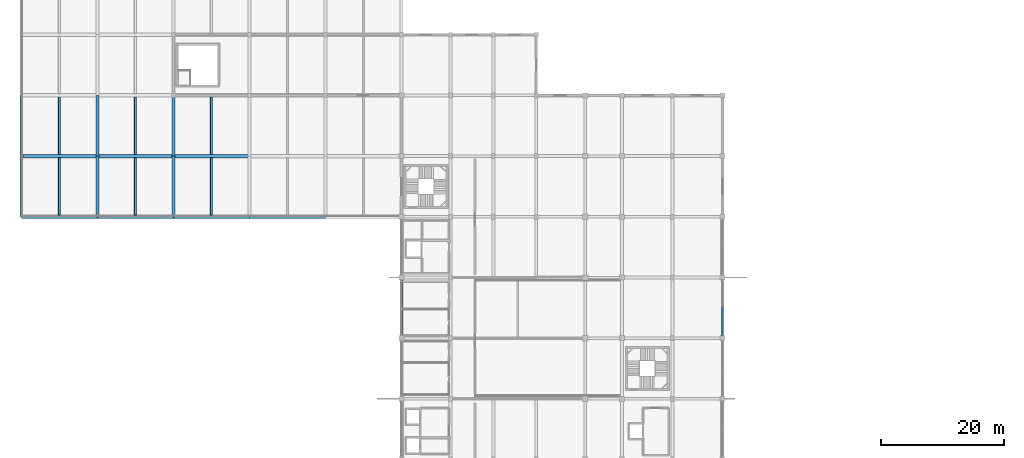
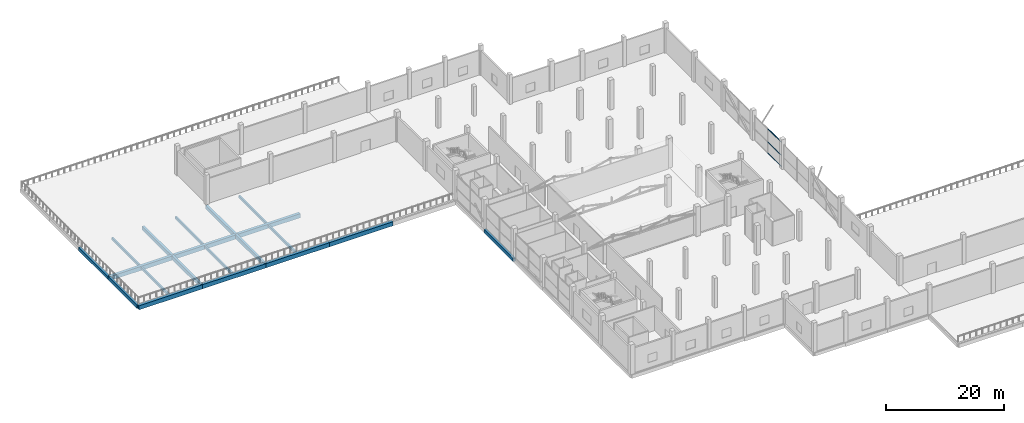
# One storey, part 13 of 46: 20 beams, 3 members, 1 element without a shape of its own.
"""IFC4 building model written with IfcOpenShell, lengths in metres."""

from ifc_helpers import new_model, si_unit, direction, frame, origin, origin_2d, place, context, subcontext, project, spatial, rectangle, hollow_rectangle, extrude, material, layer, layer_set, material_profile, profile_set, type_object, element, aggregate, save


model = new_model("IFC4")

# Units and contexts
model_context = context("Model", 3, precision=1e-05, world=origin(), true_north=direction((0.0, 1.0)))
body_context = subcontext(model_context, "Body", "Model", "MODEL_VIEW")
ifc_project = project(units=[si_unit("LENGTHUNIT", "METRE"), si_unit("AREAUNIT", "SQUARE_METRE"), si_unit("VOLUMEUNIT", "CUBIC_METRE"), si_unit("PLANEANGLEUNIT", "RADIAN"), si_unit("MASSUNIT", "GRAM", prefix="KILO")], contexts=[model_context])

# Site, building, storey
site_placement = place(None, origin())
site = spatial("IfcSite", under=ifc_project, at=site_placement, CompositionType="ELEMENT")
building_placement = place(site_placement, origin())
building = spatial("IfcBuilding", under=site, at=building_placement, Name="Sillaruma Civic Art Gallery", CompositionType="ELEMENT")
storey_placement = place(building_placement, frame((0.0, 0.0, 16.320068359375)))
storey = spatial("IfcBuildingStorey", under=building, at=storey_placement, Name="L03", CompositionType="ELEMENT", Elevation=16.320068359375)

# Beams
ifc_material_1 = material(Name="Concrete H40 (40 MPa)", Category="concrete")
ifc_material_profile_1 = material_profile(ifc_material_1, rectangle(XDim=0.449951171875, YDim=0.75, at=origin_2d()), Name="RCB450x750")
ifc_profile_set_1 = profile_set([ifc_material_profile_1], Name="Concrete H40 (40 MPa)")
beam_type_1 = type_object("IfcBeamType", Name="BM-BEAM-RCB450x750", PredefinedType="BEAM", material=ifc_profile_set_1)
beam_1_placement = place(storey_placement, frame((12.39990234375, 79.199951171875, -0.655029296875), z_axis=(0.0, 1.0, 0.0), x_axis=(-1.0, 0.0, 0.0)))
element("IfcBeam", 1, at=beam_1_placement, inside=storey, type_object=beam_type_1, Name="Beam BM-03 (L02:B:9-10)", PredefinedType="BEAM", context=body_context, shape_type="SweptSolid", body=[
    extrude(rectangle(XDim=0.449951171875, YDim=0.75, at=origin_2d()), origin(), (0.0, 0.0, 1.0), 9.900146484375),
])
beam_2_placement = place(storey_placement, frame((12.39990234375, 89.10009765625, -0.655029296875), z_axis=(0.0, 1.0, 0.0), x_axis=(-1.0, 0.0, 0.0)))
element("IfcBeam", 2, at=beam_2_placement, inside=storey, type_object=beam_type_1, Name="Beam BM-03 (L02:B:10-11)", PredefinedType="BEAM", context=body_context, shape_type="SweptSolid", body=[
    extrude(rectangle(XDim=0.449951171875, YDim=0.75, at=origin_2d()), origin(), (0.0, 0.0, 1.0), 9.89990234375),
])
beam_3_placement = place(storey_placement, frame((24.800048828125, 79.199951171875, -0.655029296875), z_axis=(0.0, 1.0, 0.0), x_axis=(-1.0, 0.0, 0.0)))
element("IfcBeam", 3, at=beam_3_placement, inside=storey, type_object=beam_type_1, Name="Beam BM-03 (L02:C:9-10)", PredefinedType="BEAM", context=body_context, shape_type="SweptSolid", body=[
    extrude(rectangle(XDim=0.449951171875, YDim=0.75, at=origin_2d()), origin(), (0.0, 0.0, 1.0), 9.900146484375),
])
beam_4_placement = place(storey_placement, frame((24.800048828125, 89.10009765625, -0.655029296875), z_axis=(0.0, 1.0, 0.0), x_axis=(-1.0, 0.0, 0.0)))
element("IfcBeam", 4, at=beam_4_placement, inside=storey, type_object=beam_type_1, Name="Beam BM-03 (L02:C:10-11)", PredefinedType="BEAM", context=body_context, shape_type="SweptSolid", body=[
    extrude(rectangle(XDim=0.449951171875, YDim=0.75, at=origin_2d()), origin(), (0.0, 0.0, 1.0), 9.89990234375),
])
ifc_material_profile_2 = material_profile(ifc_material_1, rectangle(XDim=0.550048828125, YDim=0.85009765625, at=origin_2d()), Name="RCB550x850")
ifc_profile_set_2 = profile_set([ifc_material_profile_2], Name="Concrete H40 (40 MPa)")
beam_type_2 = type_object("IfcBeamType", Name="BM-BEAM-RCB550x850", PredefinedType="BEAM", material=ifc_profile_set_2)
beam_5_placement = place(storey_placement, frame((0.0, 79.199951171875, -0.705078125), z_axis=(1.0, 0.0, 0.0), x_axis=(0.0, 1.0, 0.0)))
element("IfcBeam", 5, at=beam_5_placement, inside=storey, type_object=beam_type_2, Name="Beam BM-01 (L02:9:A-B)", PredefinedType="BEAM", context=body_context, shape_type="SweptSolid", body=[
    extrude(rectangle(XDim=0.550048828125, YDim=0.85009765625, at=origin_2d()), origin(), (0.0, 0.0, 1.0), 12.39990234375),
])
beam_6_placement = place(storey_placement, frame((12.39990234375, 79.199951171875, -0.705078125), z_axis=(1.0, 0.0, 0.0), x_axis=(0.0, 1.0, 0.0)))
element("IfcBeam", 6, at=beam_6_placement, inside=storey, type_object=beam_type_2, Name="Beam BM-01 (L02:9:B-C)", PredefinedType="BEAM", context=body_context, shape_type="SweptSolid", body=[
    extrude(rectangle(XDim=0.550048828125, YDim=0.85009765625, at=origin_2d()), origin(), (0.0, 0.0, 1.0), 12.400146484375),
])
beam_7_placement = place(storey_placement, frame((24.800048828125, 79.199951171875, -0.705078125), z_axis=(1.0, 0.0, 0.0), x_axis=(0.0, 1.0, 0.0)))
element("IfcBeam", 7, at=beam_7_placement, inside=storey, type_object=beam_type_2, Name="Beam BM-01 (L02:9:C-D)", PredefinedType="BEAM", context=body_context, shape_type="SweptSolid", body=[
    extrude(rectangle(XDim=0.550048828125, YDim=0.85009765625, at=origin_2d()), origin(), (0.0, 0.0, 1.0), 12.39990234375),
])
beam_8_placement = place(storey_placement, frame((37.199951171875, 79.199951171875, -0.705078125), z_axis=(1.0, 0.0, 0.0), x_axis=(0.0, 1.0, 0.0)))
element("IfcBeam", 8, at=beam_8_placement, inside=storey, type_object=beam_type_2, Name="Beam BM-01 (L02:9:D-E)", PredefinedType="BEAM", context=body_context, shape_type="SweptSolid", body=[
    extrude(rectangle(XDim=0.550048828125, YDim=0.85009765625, at=origin_2d()), origin(), (0.0, 0.0, 1.0), 12.400146484375),
])
beam_9_placement = place(storey_placement, frame((0.0, 89.10009765625, -0.705078125), z_axis=(1.0, 0.0, 0.0), x_axis=(0.0, 1.0, 0.0)))
element("IfcBeam", 9, at=beam_9_placement, inside=storey, type_object=beam_type_2, Name="Beam BM-01 (L02:10:A-B)", PredefinedType="BEAM", context=body_context, shape_type="SweptSolid", body=[
    extrude(rectangle(XDim=0.550048828125, YDim=0.85009765625, at=origin_2d()), origin(), (0.0, 0.0, 1.0), 12.39990234375),
])
beam_10_placement = place(storey_placement, frame((12.39990234375, 89.10009765625, -0.705078125), z_axis=(1.0, 0.0, 0.0), x_axis=(0.0, 1.0, 0.0)))
element("IfcBeam", 10, at=beam_10_placement, inside=storey, type_object=beam_type_2, Name="Beam BM-01 (L02:10:B-C)", PredefinedType="BEAM", context=body_context, shape_type="SweptSolid", body=[
    extrude(rectangle(XDim=0.550048828125, YDim=0.85009765625, at=origin_2d()), origin(), (0.0, 0.0, 1.0), 12.400146484375),
])
beam_11_placement = place(storey_placement, frame((24.800048828125, 89.10009765625, -0.705078125), z_axis=(1.0, 0.0, 0.0), x_axis=(0.0, 1.0, 0.0)))
element("IfcBeam", 11, at=beam_11_placement, inside=storey, type_object=beam_type_2, Name="Beam BM-01 (L02:10:C-D)", PredefinedType="BEAM", context=body_context, shape_type="SweptSolid", body=[
    extrude(rectangle(XDim=0.550048828125, YDim=0.85009765625, at=origin_2d()), origin(), (0.0, 0.0, 1.0), 12.39990234375),
])
ifc_material_2 = material(Name="Concrete H35 (35 MPa)", Category="concrete")
ifc_material_profile_3 = material_profile(ifc_material_2, rectangle(XDim=0.300048828125, YDim=0.52001953125, at=origin_2d()), Name="RCB300x520")
ifc_profile_set_3 = profile_set([ifc_material_profile_3], Name="Concrete H35 (35 MPa)")
beam_type_3 = type_object("IfcBeamType", Name="BM-JOIST-RCB300x520", PredefinedType="JOIST", material=ifc_profile_set_3)
for number, where, z_axis, x_axis, name in (
    (12, (6.199951171875, 79.47509765625, -0.5400390625), (0.0, 1.0, 0.0), (-1.0, 0.0, 0.0), "Floor Joist JR-01 (L02:AB:9-10)"),
    (13, (18.60009765625, 79.47509765625, -0.5400390625), (0.0, 1.0, 0.0), (-1.0, 0.0, 0.0), "Floor Joist JR-01 (L02:BC:9-10)"),
    (14, (31.0, 79.47509765625, -0.5400390625), (0.0, 1.0, 0.0), (-1.0, 0.0, 0.0), "Floor Joist JR-01 (L02:CD:9-10)"),
):
    element("IfcBeam", number, at=place(storey_placement, frame(where, z_axis=z_axis, x_axis=x_axis)), inside=storey, type_object=beam_type_3, Name=name, PredefinedType="JOIST", context=body_context, shape_type="SweptSolid", body=[
        extrude(rectangle(XDim=0.300048828125, YDim=0.52001953125, at=origin_2d()), origin(), (0.0, 0.0, 1.0), 9.349853515625),
    ])
for number, where, z_axis, x_axis, name in (
    (15, (6.199951171875, 89.375, -0.5400390625), (0.0, 1.0, 0.0), (-1.0, 0.0, 0.0), "Floor Joist JR-01 (L02:AB:10-11)"),
    (16, (18.60009765625, 89.375, -0.5400390625), (0.0, 1.0, 0.0), (-1.0, 0.0, 0.0), "Floor Joist JR-01 (L02:BC:10-11)"),
    (17, (31.0, 89.375, -0.5400390625), (0.0, 1.0, 0.0), (-1.0, 0.0, 0.0), "Floor Joist JR-01 (L02:CD:10-11)"),
):
    element("IfcBeam", number, at=place(storey_placement, frame(where, z_axis=z_axis, x_axis=x_axis)), inside=storey, type_object=beam_type_3, Name=name, PredefinedType="JOIST", context=body_context, shape_type="SweptSolid", body=[
        extrude(rectangle(XDim=0.300048828125, YDim=0.52001953125, at=origin_2d()), origin(), (0.0, 0.0, 1.0), 9.35009765625),
    ])
ifc_material_profile_4 = material_profile(ifc_material_2, rectangle(XDim=0.449951171875, YDim=0.699951171875, at=origin_2d()), Name="RCB450x700")
ifc_profile_set_4 = profile_set([ifc_material_profile_4], Name="Concrete H35 (35 MPa)")
beam_type_4 = type_object("IfcBeamType", Name="BM-SPANDREL-RCB450x700", PredefinedType="SPANDREL", material=ifc_profile_set_4)
beam_12_placement = place(storey_placement, frame((0.0, 79.199951171875, -0.630126953125), z_axis=(0.0, 1.0, 0.0), x_axis=(-1.0, 0.0, 0.0)))
element("IfcBeam", 18, at=beam_12_placement, inside=storey, type_object=beam_type_4, Name="Beam BS-03 (L02:A:9-10)", PredefinedType="SPANDREL", context=body_context, shape_type="SweptSolid", body=[
    extrude(rectangle(XDim=0.449951171875, YDim=0.699951171875, at=origin_2d()), origin(), (0.0, 0.0, 1.0), 9.900146484375),
])
beam_13_placement = place(storey_placement, frame((0.0, 89.10009765625, -0.630126953125), z_axis=(0.0, 1.0, 0.0), x_axis=(-1.0, 0.0, 0.0)))
element("IfcBeam", 19, at=beam_13_placement, inside=storey, type_object=beam_type_4, Name="Beam BS-03 (L02:A:10-11)", PredefinedType="SPANDREL", context=body_context, shape_type="SweptSolid", body=[
    extrude(rectangle(XDim=0.449951171875, YDim=0.699951171875, at=origin_2d()), origin(), (0.0, 0.0, 1.0), 9.89990234375),
])
beam_14_placement = place(storey_placement, frame((62.0, 59.39990234375, -0.630126953125), z_axis=(0.0, 1.0, 0.0), x_axis=(-1.0, 0.0, 0.0)))
element("IfcBeam", 20, at=beam_14_placement, inside=storey, type_object=beam_type_4, Name="Beam BS-03 (L02:F:7-8)", PredefinedType="SPANDREL", context=body_context, shape_type="SweptSolid", body=[
    extrude(rectangle(XDim=0.449951171875, YDim=0.699951171875, at=origin_2d()), origin(), (0.0, 0.0, 1.0), 9.900146484375),
])

# Curtain wall, members
ifc_material_3 = material(Name="Thermally Broken Extruded Aluminium 6063-T6", Category="aluminium")
ifc_layer = layer(ifc_material_3, 0.159912109375, Name="Thermally Broken Extruded Aluminium 6063-T6")
ifc_layer_set = layer_set([ifc_layer], Name="Thermally Broken Extruded Aluminium 6063-T6")
curtain_wall_type = type_object("IfcCurtainWallType", Name="CW-UNI-24", PredefinedType="NOTDEFINED", material=ifc_layer_set)
curtain_wall_placement = place(storey_placement, origin())
curtain_wall = element("IfcCurtainWall", 21, at=curtain_wall_placement, inside=storey, type_object=curtain_wall_type, Name="Unitised Curtain Wall CW-24 (CW-L03-E-5)", PredefinedType="NOTDEFINED")
ifc_material_profile_5 = material_profile(ifc_material_3, hollow_rectangle(XDim=0.06494140625, YDim=0.1201171875, WallThickness=0.00341796875, at=origin_2d()), Name="CWT65x120")
ifc_profile_set_5 = profile_set([ifc_material_profile_5], Name="Thermally Broken Extruded Aluminium 6063-T6")
member_type = type_object("IfcMemberType", Name="MEM-TRN-CWT65x120", PredefinedType="USERDEFINED", material=ifc_profile_set_5)
member_1_placement = place(storey_placement, frame((114.39990234375, 59.864990234375, 0.032470703125), z_axis=(0.0, 1.0, 0.0), x_axis=(-1.0, 0.0, 0.0)))
member_1 = element("IfcMember", 22, at=member_1_placement, type_object=member_type, Name="CW-24 transom 1.1", ObjectType="TRANSOM", PredefinedType="USERDEFINED", context=body_context, shape_type="SweptSolid", body=[
    extrude(hollow_rectangle(XDim=0.06494140625, YDim=0.1201171875, WallThickness=0.00341796875, at=origin_2d()), origin(), (0.0, 0.0, 1.0), 4.452392578125),
])
member_2_placement = place(storey_placement, frame((114.39990234375, 59.864990234375, 2.336669921875), z_axis=(0.0, 1.0, 0.0), x_axis=(-1.0, 0.0, 0.0)))
member_2 = element("IfcMember", 23, at=member_2_placement, type_object=member_type, Name="CW-24 transom 1.2", ObjectType="TRANSOM", PredefinedType="USERDEFINED", context=body_context, shape_type="SweptSolid", body=[
    extrude(hollow_rectangle(XDim=0.06494140625, YDim=0.1201171875, WallThickness=0.00341796875, at=origin_2d()), origin(), (0.0, 0.0, 1.0), 4.452392578125),
])
member_3_placement = place(storey_placement, frame((114.39990234375, 59.864990234375, 5.04736328125), z_axis=(0.0, 1.0, 0.0), x_axis=(-1.0, 0.0, 0.0)))
member_3 = element("IfcMember", 24, at=member_3_placement, type_object=member_type, Name="CW-24 transom 1.3", ObjectType="TRANSOM", PredefinedType="USERDEFINED", context=body_context, shape_type="SweptSolid", body=[
    extrude(hollow_rectangle(XDim=0.06494140625, YDim=0.1201171875, WallThickness=0.00341796875, at=origin_2d()), origin(), (0.0, 0.0, 1.0), 4.452392578125),
])
aggregate(curtain_wall, [member_1, member_2, member_3])

save(model, "model.ifc")
